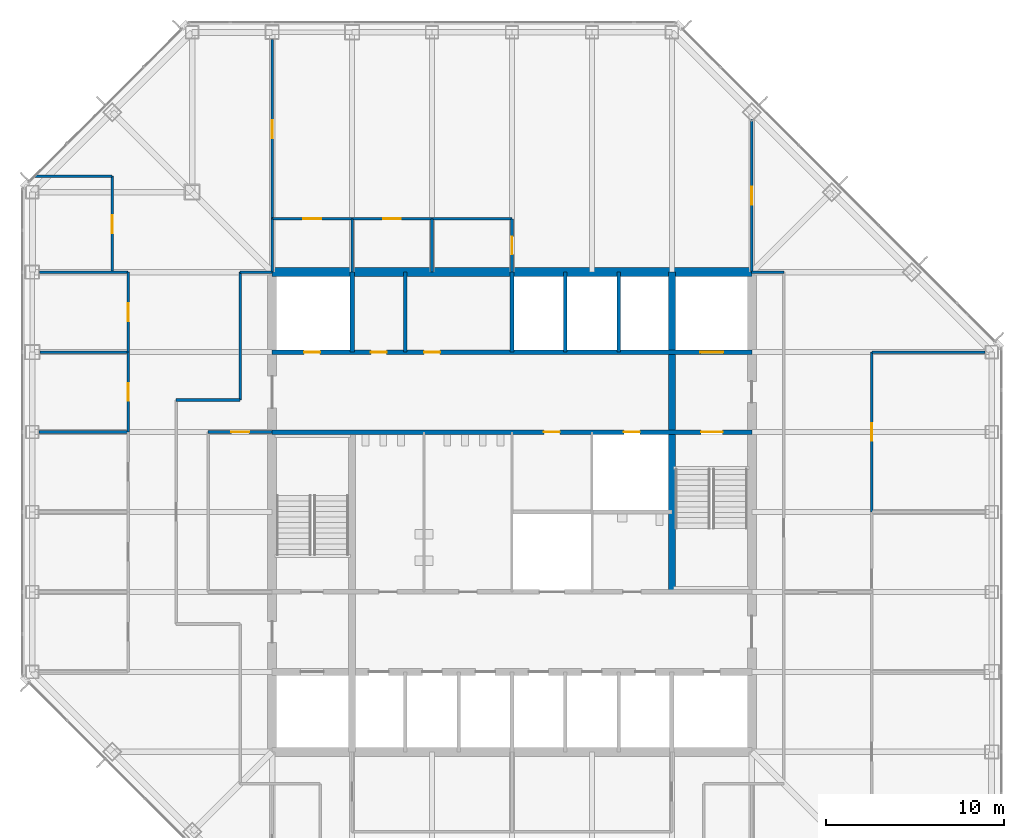
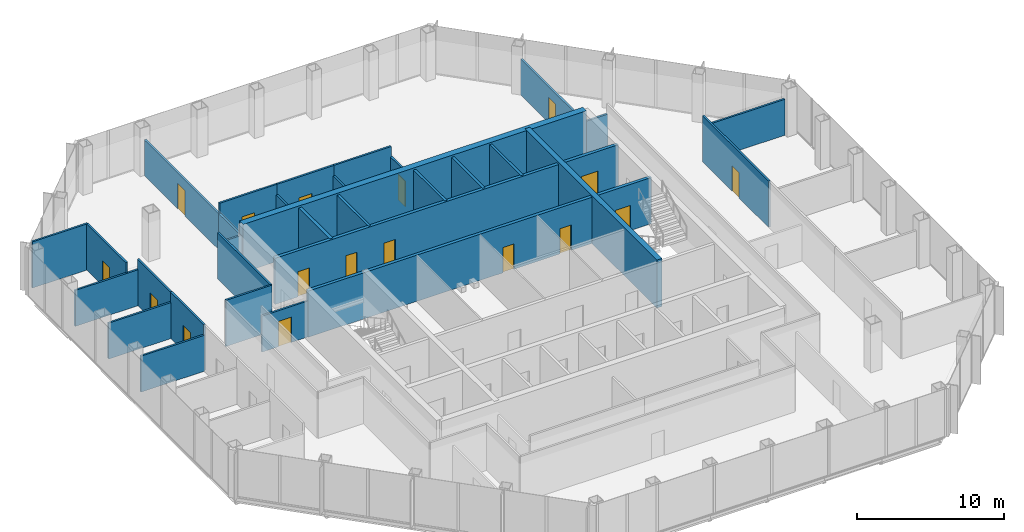
# One storey, part 10 of 13: 32 walls, 17 doors, 17 openings.
"""IFC4 building model written with IfcOpenShell, lengths in metres."""

import ifcopenshell
import ifcopenshell.guid

model = None  # the IFC model being written
_history = None  # IfcOwnerHistory: only IFC2X3 demands one
_inside = {}  # id of a spatial element -> (the spatial element, [elements in it])
_under = {}  # id of a project, library or spatial element -> (it, [spatial elements below it])
_declared = {}  # id of a project -> (the project, [libraries it declares])
_typed = {}  # id of a type object -> (the type object, [elements of that type])
_made_of = {}  # id of a material, layer set ... -> (it, [elements and type objects made of it])


def new_model(schema):
    """Start an empty IFC model of exactly this schema.

    Asked for "IFC4X3", IfcOpenShell would pick the latest addendum, in which some entities
    have other attributes; the version numbers below select the first issue.
    IFC2X3 requires an IfcOwnerHistory on every rooted entity: one is made here for all.
    """
    global model, _history
    if schema == "IFC4X3":
        model = ifcopenshell.file(schema_version=(4, 3, 0, 0))
    else:
        model = ifcopenshell.file(schema=schema)
    _inside.clear()
    _under.clear()
    _declared.clear()
    _typed.clear()
    _made_of.clear()
    _history = None
    if model.schema == "IFC2X3":
        org = make("IfcOrganization", Name="unknown")
        user = make(
            "IfcPersonAndOrganization",
            ThePerson=make("IfcPerson", FamilyName="unknown"),
            TheOrganization=org,
        )
        app = make(
            "IfcApplication",
            ApplicationDeveloper=org,
            Version="unknown",
            ApplicationFullName="unknown",
            ApplicationIdentifier="unknown",
        )
        _history = make(
            "IfcOwnerHistory",
            OwningUser=user,
            OwningApplication=app,
            ChangeAction="ADDED",
            CreationDate=0,
        )
    return model


def make(cls, **values):
    """One entity of the class cls with the attributes given. An attribute that is None is left unset."""
    return model.create_entity(
        cls, **{name: value for name, value in values.items() if value is not None}
    )


def rooted(cls, **values):
    """An entity with a GlobalId (a new one), such as an element, a storey or a relation."""
    return make(cls, GlobalId=ifcopenshell.guid.new(), OwnerHistory=_history, **values)


def si_unit(unit_type, name, prefix=None):
    """IfcSIUnit, for example si_unit("LENGTHUNIT", "METRE", prefix="MILLI")."""
    return make("IfcSIUnit", UnitType=unit_type, Prefix=prefix, Name=name)


def assignment(units):
    """IfcUnitAssignment: the units of a project."""
    return None if units is None else make("IfcUnitAssignment", Units=units)


def point(xyz):
    """IfcCartesianPoint."""
    return None if xyz is None else make("IfcCartesianPoint", Coordinates=xyz)


def direction(xyz):
    """IfcDirection."""
    return None if xyz is None else make("IfcDirection", DirectionRatios=xyz)


def frame(location, z_axis=None, x_axis=None):
    """IfcAxis2Placement3D, a coordinate frame: its origin and axes. An axis left out is left unset."""
    return make(
        "IfcAxis2Placement3D",
        Location=point(location),
        Axis=direction(z_axis),
        RefDirection=direction(x_axis),
    )


def frame_2d(location, x_axis=None):
    """IfcAxis2Placement2D, a coordinate frame in the plane: its origin and x axis."""
    return make(
        "IfcAxis2Placement2D", Location=point(location), RefDirection=direction(x_axis)
    )


def origin():
    """The frame at (0, 0, 0) with its axes left unset."""
    return frame((0.0, 0.0, 0.0))


def place(relative_to, where):
    """IfcLocalPlacement: puts the frame where relative to a parent placement (None: the world)."""
    return make(
        "IfcLocalPlacement", PlacementRelTo=relative_to, RelativePlacement=where
    )


def context(
    kind, dimensions, precision=None, world=None, true_north=None, identifier=None
):
    """IfcGeometricRepresentationContext, for example the 3D "Model" context."""
    return make(
        "IfcGeometricRepresentationContext",
        ContextIdentifier=identifier,
        ContextType=kind,
        CoordinateSpaceDimension=dimensions,
        Precision=precision,
        WorldCoordinateSystem=world,
        TrueNorth=true_north,
    )


def subcontext(parent, identifier, kind, view, scale=None):
    """IfcGeometricRepresentationSubContext, for example "Body" below "Model"."""
    return make(
        "IfcGeometricRepresentationSubContext",
        ContextIdentifier=identifier,
        ContextType=kind,
        ParentContext=parent,
        TargetScale=scale,
        TargetView=view,
    )


def project(units=None, contexts=None):
    """IfcProject with its units and contexts."""
    return rooted(
        "IfcProject",
        Name="project",
        RepresentationContexts=contexts,
        UnitsInContext=assignment(units),
    )


def spatial(cls, under=None, at=None, **own):
    """A site, building, storey or space (cls), placed at a placement, below another one or the project."""
    s = rooted(cls, ObjectPlacement=at, **own)
    if under is not None:
        _under.setdefault(under.id(), (under, []))[1].append(s)
    return s


def profile(cls, at=None, kind="AREA", **sizes):
    """A parametric profile (cls). Its sizes go by their IFC names, for example OverallWidth=200.0."""
    return make(cls, ProfileType=kind, Position=at, **sizes)


def rectangle(**sizes):
    """IfcRectangleProfileDef."""
    return profile("IfcRectangleProfileDef", **sizes)


def extrude(swept, where, along, depth):
    """IfcExtrudedAreaSolid: the profile swept, set in the frame where, extruded along a direction by depth."""
    return make(
        "IfcExtrudedAreaSolid",
        SweptArea=swept,
        Position=where,
        ExtrudedDirection=direction(along),
        Depth=depth,
    )


def shape(context_of_items, identifier, shape_type, items):
    """IfcShapeRepresentation: the items that make up one representation, for example the "Body"."""
    return make(
        "IfcShapeRepresentation",
        ContextOfItems=context_of_items,
        RepresentationIdentifier=identifier,
        RepresentationType=shape_type,
        Items=items,
    )


def material(Name=None, Category=None):
    """IfcMaterial."""
    return make("IfcMaterial", Name=Name, Category=Category)


def layer(
    of_material, thickness, ventilated=None, Name=None, Category=None, Priority=None
):
    """IfcMaterialLayer: one layer of a wall or slab, of a material (None: an air gap)."""
    return make(
        "IfcMaterialLayer",
        Material=of_material,
        LayerThickness=thickness,
        IsVentilated=ventilated,
        Name=Name,
        Category=Category,
        Priority=Priority,
    )


def layer_set(layers, Name=None):
    """IfcMaterialLayerSet."""
    return make("IfcMaterialLayerSet", MaterialLayers=layers, LayerSetName=Name)


def made_of(thing, what):
    """Note that an element or type object is made of a material, layer set ...; save() writes the relation."""
    if what is not None:
        _made_of.setdefault(what.id(), (what, []))[1].append(thing)
    return thing


def type_object(cls, material=None, **own):
    """A type object (cls), such as IfcWallType, which elements share."""
    return made_of(rooted(cls, **own), material)


def element(
    cls,
    number,
    at=None,
    inside=None,
    cuts=None,
    type_object=None,
    material=None,
    context=None,
    identifier="Body",
    shape_type=None,
    held_by="IfcProductDefinitionShape",
    body=None,
    shapes=None,
    **own,
):
    """One element of the class cls, such as IfcWall. Its Tag is "e" and its number.

    at: its placement. inside: the storey or other place that contains it. cuts: it is an
    opening in that element (IfcRelVoidsElement). A single representation is given by context,
    identifier, shape_type and body (its items); several are given by shapes. held_by: the class
    of the entity that holds the representations. save() writes the other relations.
    """
    e = rooted(cls, Tag="e%d" % number, ObjectPlacement=at, **own)
    if body is not None:
        shapes = [shape(context, identifier, shape_type, body)]
    if shapes is not None:
        e.Representation = make(held_by, Representations=shapes)
    if inside is not None:
        _inside.setdefault(inside.id(), (inside, []))[1].append(e)
    if cuts is not None:
        rooted(
            "IfcRelVoidsElement", RelatingBuildingElement=cuts, RelatedOpeningElement=e
        )
    if type_object is not None:
        _typed.setdefault(type_object.id(), (type_object, []))[1].append(e)
    return made_of(e, material)


def fill(opening, filler):
    """IfcRelFillsElement: the door or window that sits in an opening."""
    return rooted(
        "IfcRelFillsElement",
        RelatingOpeningElement=opening,
        RelatedBuildingElement=filler,
    )


def aggregate(whole, parts):
    """IfcRelAggregates: a whole, such as a stair, and the parts it consists of."""
    return rooted("IfcRelAggregates", RelatingObject=whole, RelatedObjects=parts)


def save(model, path):
    """Write the relations noted so far, then the file.

    IfcRelAggregates (storeys below a building ...), IfcRelContainedInSpatialStructure (elements
    in a storey), IfcRelDefinesByType, IfcRelAssociatesMaterial and IfcRelDeclares: one each for
    every whole, place, type object, material and project.
    """
    for whole, parts in _under.values():
        aggregate(whole, parts)
    for where, things in _inside.values():
        rooted(
            "IfcRelContainedInSpatialStructure",
            RelatedElements=things,
            RelatingStructure=where,
        )
    for kind, things in _typed.values():
        rooted("IfcRelDefinesByType", RelatedObjects=things, RelatingType=kind)
    for what, things in _made_of.values():
        rooted("IfcRelAssociatesMaterial", RelatedObjects=things, RelatingMaterial=what)
    for by, libraries in _declared.values():
        rooted("IfcRelDeclares", RelatingContext=by, RelatedDefinitions=libraries)
    model.write(path)


model = new_model("IFC4")

# Units and contexts
model_context = context("Model", 3, precision=1e-05, world=origin(), true_north=direction((0.0, 1.0)))
body_context = subcontext(model_context, "Body", "Model", "MODEL_VIEW")
ifc_project = project(units=[si_unit("LENGTHUNIT", "METRE"), si_unit("AREAUNIT", "SQUARE_METRE"), si_unit("VOLUMEUNIT", "CUBIC_METRE"), si_unit("PLANEANGLEUNIT", "RADIAN"), si_unit("MASSUNIT", "GRAM", prefix="KILO")], contexts=[model_context])

# Site, building, storey
site_placement = place(None, origin())
site = spatial("IfcSite", under=ifc_project, at=site_placement, CompositionType="ELEMENT")
building_placement = place(site_placement, origin())
building = spatial("IfcBuilding", under=site, at=building_placement, Name="Corais Broadcast Tower", CompositionType="ELEMENT")
storey_placement = place(building_placement, frame((0.0, 0.0, 151.60009765625)))
storey = spatial("IfcBuildingStorey", under=building, at=storey_placement, Name="L34", CompositionType="ELEMENT", Elevation=151.60009765625)

# Wall
ifc_material_1 = material(Name="Concrete blockwork class A, grouted, two-hour", Category="masonry")
ifc_layer_1 = layer(ifc_material_1, 0.25)
ifc_layer_set_1 = layer_set([ifc_layer_1], Name="Concrete blockwork class A, grouted, two-hour")
wall_type_1 = type_object("IfcWallType", Name="Core lobby wall 250", PredefinedType="SOLIDWALL", material=ifc_layer_set_1)
wall_1_placement = place(storey_placement, frame((18.0, 36.0, 0.0), z_axis=(0.0, 0.0, 1.0), x_axis=(0.0, 1.0, 0.0)))
element("IfcWall", 1, at=wall_1_placement, inside=storey, type_object=wall_type_1, Name="CL2 core shaft wall X18B L34", PredefinedType="SOLIDWALL", context=body_context, shape_type="SweptSolid", body=[
    extrude(rectangle(XDim=4.5, YDim=0.25, at=frame_2d((2.25, 0.0))), origin(), (0.0, 0.0, 1.0), 3.83984375),
])

# Wall, openings, doors
wall_2_placement = place(storey_placement, frame((13.5, 31.5, 0.0), z_axis=(0.0, 0.0, 1.0), x_axis=(1.0, 0.0, 0.0)))
wall_2 = element("IfcWall", 2, at=wall_2_placement, inside=storey, type_object=wall_type_1, Name="CL2 core lobby wall Y315 L34", PredefinedType="SOLIDWALL", context=body_context, shape_type="SweptSolid", body=[
    extrude(rectangle(XDim=27.0, YDim=0.25, at=frame_2d((13.5, 0.0))), origin(), (0.0, 0.0, 1.0), 3.83984375),
])
opening_1_placement = place(wall_2_placement, frame((24.14990234375, 0.0, 0.0)))
opening_1 = element("IfcOpeningElement", 3, at=opening_1_placement, cuts=wall_2, Name="Opening FD1", PredefinedType="OPENING", context=body_context, shape_type="SweptSolid", body=[
    extrude(rectangle(XDim=1.199951171875, YDim=2.10009765625, at=frame_2d((0.60009765625, 1.050048828125))), frame((0.0, 0.135009765625, 0.0), z_axis=(0.0, -1.0, 0.0), x_axis=(1.0, 0.0, 0.0)), (0.0, 0.0, 1.0), 0.27001953125),
])
opening_2_placement = place(wall_2_placement, frame((15.300048828125, 0.0, 0.0)))
opening_2 = element("IfcOpeningElement", 4, at=opening_2_placement, cuts=wall_2, Name="Opening RD1", PredefinedType="OPENING", context=body_context, shape_type="SweptSolid", body=[
    extrude(rectangle(XDim=0.89990234375, YDim=2.10009765625, at=frame_2d((0.449951171875, 1.050048828125))), frame((0.0, 0.135009765625, 0.0), z_axis=(0.0, -1.0, 0.0), x_axis=(1.0, 0.0, 0.0)), (0.0, 0.0, 1.0), 0.27001953125),
])
opening_3_placement = place(wall_2_placement, frame((19.800048828125, 0.0, 0.0)))
opening_3 = element("IfcOpeningElement", 5, at=opening_3_placement, cuts=wall_2, Name="Opening RD1", PredefinedType="OPENING", context=body_context, shape_type="SweptSolid", body=[
    extrude(rectangle(XDim=0.89990234375, YDim=2.10009765625, at=frame_2d((0.449951171875, 1.050048828125))), frame((0.0, 0.135009765625, 0.0), z_axis=(0.0, -1.0, 0.0), x_axis=(1.0, 0.0, 0.0)), (0.0, 0.0, 1.0), 0.27001953125),
])
ifc_material_2 = material(Name="Steel fire door", Category="steel")
door_type_1 = type_object("IfcDoorType", Name="Fire door 1200x2100", OperationType="SINGLE_SWING_LEFT", PredefinedType="DOOR", material=ifc_material_2)
door_1_placement = place(opening_1_placement, origin())
door_1 = element("IfcDoor", 6, at=door_1_placement, inside=storey, type_object=door_type_1, Name="FD1 stair B door L34", OperationType="SINGLE_SWING_RIGHT", OverallHeight=2.10009765625, OverallWidth=1.199951171875, PredefinedType="DOOR", context=body_context, shape_type="SweptSolid", body=[
    extrude(rectangle(XDim=1.199951171875, YDim=2.10009765625, at=frame_2d((0.60009765625, 1.050048828125))), frame((0.0, 0.02490234375, 0.0), z_axis=(0.0, -1.0, 0.0), x_axis=(1.0, 0.0, 0.0)), (0.0, 0.0, 1.0), 0.050048828125),
])
fill(opening_1, door_1)
ifc_material_3 = material(Name="Steel fire door", Category="steel")
door_type_2 = type_object("IfcDoorType", Name="Riser door 900x2100", OperationType="SINGLE_SWING_LEFT", PredefinedType="DOOR", material=ifc_material_3)
door_2_placement = place(opening_2_placement, origin())
door_2 = element("IfcDoor", 7, at=door_2_placement, inside=storey, type_object=door_type_2, Name="RD1 vending room door L34", OperationType="SINGLE_SWING_RIGHT", OverallHeight=2.10009765625, OverallWidth=0.89990234375, PredefinedType="DOOR", context=body_context, shape_type="SweptSolid", body=[
    extrude(rectangle(XDim=0.89990234375, YDim=2.10009765625, at=frame_2d((0.449951171875, 1.050048828125))), frame((0.0, 0.02490234375, 0.0), z_axis=(0.0, -1.0, 0.0), x_axis=(1.0, 0.0, 0.0)), (0.0, 0.0, 1.0), 0.050048828125),
])
fill(opening_2, door_2)
door_3_placement = place(opening_3_placement, origin())
door_3 = element("IfcDoor", 8, at=door_3_placement, inside=storey, type_object=door_type_2, Name="RD1 riser door L34", OperationType="SINGLE_SWING_RIGHT", OverallHeight=2.10009765625, OverallWidth=0.89990234375, PredefinedType="DOOR", context=body_context, shape_type="SweptSolid", body=[
    extrude(rectangle(XDim=0.89990234375, YDim=2.10009765625, at=frame_2d((0.449951171875, 1.050048828125))), frame((0.0, 0.02490234375, 0.0), z_axis=(0.0, -1.0, 0.0), x_axis=(1.0, 0.0, 0.0)), (0.0, 0.0, 1.0), 0.050048828125),
])
fill(opening_3, door_3)

# Walls
ifc_material_4 = material(Name="Concrete C50/60", Category="concrete")
ifc_layer_2 = layer(ifc_material_4, 0.39990234375)
ifc_layer_set_2 = layer_set([ifc_layer_2], Name="Concrete C50/60")
wall_type_2 = type_object("IfcWallType", Name="Core wall 400", PredefinedType="SHEAR", material=ifc_layer_set_2)
wall_3_placement = place(storey_placement, frame((36.0, 22.5, 0.0), z_axis=(0.0, 0.0, 1.0), x_axis=(0.0, 1.0, 0.0)))
element("IfcWall", 9, at=wall_3_placement, inside=storey, type_object=wall_type_2, Name="CR400 core wall X36B L34", PredefinedType="SHEAR", context=body_context, shape_type="SweptSolid", body=[
    extrude(rectangle(XDim=18.0, YDim=0.39990234375, at=frame_2d((9.0, 0.0))), origin(), (0.0, 0.0, 1.0), 4.0),
])
ifc_material_5 = material(Name="Concrete C50/60", Category="concrete")
ifc_layer_3 = layer(ifc_material_5, 0.5)
ifc_layer_set_3 = layer_set([ifc_layer_3], Name="Concrete C50/60")
wall_type_3 = type_object("IfcWallType", Name="Core wall 500", PredefinedType="SHEAR", material=ifc_layer_set_3)
wall_4_placement = place(storey_placement, frame((40.5, 40.5, 0.0), z_axis=(0.0, 0.0, 1.0), x_axis=(-1.0, 0.0, 0.0)))
element("IfcWall", 10, at=wall_4_placement, inside=storey, type_object=wall_type_3, Name="CR500 core wall N L34", PredefinedType="SHEAR", context=body_context, shape_type="SweptSolid", body=[
    extrude(rectangle(XDim=27.0, YDim=0.5, at=frame_2d((13.5, 0.0))), origin(), (0.0, 0.0, 1.0), 4.0),
])

# Wall, openings, doors
ifc_material_6 = material(Name="Concrete blockwork class A, grouted, four-hour", Category="masonry")
ifc_layer_4 = layer(ifc_material_6, 0.25)
ifc_layer_set_4 = layer_set([ifc_layer_4], Name="Concrete blockwork class A, grouted, four-hour")
wall_type_4 = type_object("IfcWallType", Name="Emergency lift shaft wall 250", PredefinedType="SOLIDWALL", material=ifc_layer_set_4)
wall_5_placement = place(storey_placement, frame((13.5, 36.0, 0.0), z_axis=(0.0, 0.0, 1.0), x_axis=(1.0, 0.0, 0.0)))
wall_5 = element("IfcWall", 11, at=wall_5_placement, inside=storey, type_object=wall_type_4, Name="LS2 core lobby wall Y36 L34", PredefinedType="SOLIDWALL", context=body_context, shape_type="SweptSolid", body=[
    extrude(rectangle(XDim=27.0, YDim=0.25, at=frame_2d((13.5, 0.0))), origin(), (0.0, 0.0, 1.0), 3.83984375),
])
opening_4_placement = place(wall_5_placement, frame((1.800048828125, 0.0, 0.0)))
opening_4 = element("IfcOpeningElement", 12, at=opening_4_placement, cuts=wall_5, Name="Opening RD1", PredefinedType="OPENING", context=body_context, shape_type="SweptSolid", body=[
    extrude(rectangle(XDim=0.89990234375, YDim=2.10009765625, at=frame_2d((0.449951171875, 1.050048828125))), frame((0.0, 0.135009765625, 0.0), z_axis=(0.0, -1.0, 0.0), x_axis=(1.0, 0.0, 0.0)), (0.0, 0.0, 1.0), 0.27001953125),
])
opening_5_placement = place(wall_5_placement, frame((5.550048828125, 0.0, 0.0)))
opening_5 = element("IfcOpeningElement", 13, at=opening_5_placement, cuts=wall_5, Name="Opening RD1", PredefinedType="OPENING", context=body_context, shape_type="SweptSolid", body=[
    extrude(rectangle(XDim=0.89990234375, YDim=2.10009765625, at=frame_2d((0.449951171875, 1.050048828125))), frame((0.0, 0.135009765625, 0.0), z_axis=(0.0, -1.0, 0.0), x_axis=(1.0, 0.0, 0.0)), (0.0, 0.0, 1.0), 0.27001953125),
])
opening_6_placement = place(wall_5_placement, frame((8.550048828125, 0.0, 0.0)))
opening_6 = element("IfcOpeningElement", 14, at=opening_6_placement, cuts=wall_5, Name="Opening RD1", PredefinedType="OPENING", context=body_context, shape_type="SweptSolid", body=[
    extrude(rectangle(XDim=0.89990234375, YDim=2.10009765625, at=frame_2d((0.449951171875, 1.050048828125))), frame((0.0, 0.135009765625, 0.0), z_axis=(0.0, -1.0, 0.0), x_axis=(1.0, 0.0, 0.0)), (0.0, 0.0, 1.0), 0.27001953125),
])
opening_7_placement = place(wall_5_placement, frame((24.10009765625, 0.0, 0.0)))
opening_7 = element("IfcOpeningElement", 15, at=opening_7_placement, cuts=wall_5, Name="Opening LD2", PredefinedType="OPENING", context=body_context, shape_type="SweptSolid", body=[
    extrude(rectangle(XDim=1.300048828125, YDim=2.199951171875, at=frame_2d((0.64990234375, 1.10009765625))), frame((0.0, 0.135009765625, 0.0), z_axis=(0.0, -1.0, 0.0), x_axis=(1.0, 0.0, 0.0)), (0.0, 0.0, 1.0), 0.27001953125),
])
ifc_material_7 = material(Name="Stainless steel lift door", Category="steel")
door_type_3 = type_object("IfcDoorType", Name="Lift landing door 1300x2200", OperationType="SLIDING_TO_LEFT", PredefinedType="DOOR", material=ifc_material_7)
door_4_placement = place(opening_7_placement, origin())
door_4 = element("IfcDoor", 16, at=door_4_placement, inside=storey, type_object=door_type_3, Name="LD2 FL2 landing door L34", OperationType="SLIDING_TO_LEFT", OverallHeight=2.199951171875, OverallWidth=1.300048828125, PredefinedType="DOOR", context=body_context, shape_type="SweptSolid", body=[
    extrude(rectangle(XDim=1.300048828125, YDim=2.199951171875, at=frame_2d((0.64990234375, 1.10009765625))), frame((0.0, 0.02490234375, 0.0), z_axis=(0.0, -1.0, 0.0), x_axis=(1.0, 0.0, 0.0)), (0.0, 0.0, 1.0), 0.050048828125),
])
fill(opening_7, door_4)
door_5_placement = place(opening_4_placement, origin())
door_5 = element("IfcDoor", 17, at=door_5_placement, inside=storey, type_object=door_type_2, Name="RD1 riser door L34", OperationType="SINGLE_SWING_LEFT", OverallHeight=2.10009765625, OverallWidth=0.89990234375, PredefinedType="DOOR", context=body_context, shape_type="SweptSolid", body=[
    extrude(rectangle(XDim=0.89990234375, YDim=2.10009765625, at=frame_2d((0.449951171875, 1.050048828125))), frame((0.0, 0.02490234375, 0.0), z_axis=(0.0, -1.0, 0.0), x_axis=(1.0, 0.0, 0.0)), (0.0, 0.0, 1.0), 0.050048828125),
])
fill(opening_4, door_5)
door_6_placement = place(opening_5_placement, origin())
door_6 = element("IfcDoor", 18, at=door_6_placement, inside=storey, type_object=door_type_2, Name="RD1 print room door L34", OperationType="SINGLE_SWING_LEFT", OverallHeight=2.10009765625, OverallWidth=0.89990234375, PredefinedType="DOOR", context=body_context, shape_type="SweptSolid", body=[
    extrude(rectangle(XDim=0.89990234375, YDim=2.10009765625, at=frame_2d((0.449951171875, 1.050048828125))), frame((0.0, 0.02490234375, 0.0), z_axis=(0.0, -1.0, 0.0), x_axis=(1.0, 0.0, 0.0)), (0.0, 0.0, 1.0), 0.050048828125),
])
fill(opening_5, door_6)
door_7_placement = place(opening_6_placement, origin())
door_7 = element("IfcDoor", 19, at=door_7_placement, inside=storey, type_object=door_type_2, Name="RD1 wellness room door L34", OperationType="SINGLE_SWING_LEFT", OverallHeight=2.10009765625, OverallWidth=0.89990234375, PredefinedType="DOOR", context=body_context, shape_type="SweptSolid", body=[
    extrude(rectangle(XDim=0.89990234375, YDim=2.10009765625, at=frame_2d((0.449951171875, 1.050048828125))), frame((0.0, 0.02490234375, 0.0), z_axis=(0.0, -1.0, 0.0), x_axis=(1.0, 0.0, 0.0)), (0.0, 0.0, 1.0), 0.050048828125),
])
fill(opening_6, door_7)

# Walls
ifc_material_8 = material(Name="Gypsum board on steel studs", Category="steel")
ifc_layer_5 = layer(ifc_material_8, 0.14990234375)
ifc_layer_set_5 = layer_set([ifc_layer_5], Name="Gypsum board on steel studs")
wall_type_5 = type_object("IfcWallType", Name="Partition 150", PredefinedType="PARTITIONING", material=ifc_layer_set_5)
wall_6_placement = place(storey_placement, frame((11.699951171875, 40.5, 0.0), z_axis=(0.0, 0.0, 1.0), x_axis=(0.0, -1.0, 0.0)))
element("IfcWall", 20, at=wall_6_placement, inside=storey, type_object=wall_type_5, Name="IW3 corridor wall L34", PredefinedType="PARTITIONING", context=body_context, shape_type="SweptSolid", body=[
    extrude(rectangle(XDim=7.199951171875, YDim=0.14990234375, at=frame_2d((3.60009765625, 0.0))), origin(), (0.0, 0.0, 1.0), 3.83984375),
])
wall_7_placement = place(storey_placement, frame((11.699951171875, 33.300048828125, 0.0), z_axis=(0.0, 0.0, 1.0), x_axis=(-1.0, 0.0, 0.0)))
element("IfcWall", 21, at=wall_7_placement, inside=storey, type_object=wall_type_5, Name="IW3 corridor wall L34", PredefinedType="PARTITIONING", context=body_context, shape_type="SweptSolid", body=[
    extrude(rectangle(XDim=3.599853515625, YDim=0.14990234375, at=frame_2d((1.7998046875, 0.0))), origin(), (0.0, 0.0, 1.0), 3.83984375),
])
wall_8_placement = place(storey_placement, frame((42.300048828125, 40.5, 0.0), z_axis=(0.0, 0.0, 1.0), x_axis=(-1.0, 0.0, 0.0)))
element("IfcWall", 22, at=wall_8_placement, inside=storey, type_object=wall_type_5, Name="IW3 corridor wall L34", PredefinedType="PARTITIONING", context=body_context, shape_type="SweptSolid", body=[
    extrude(rectangle(XDim=1.81005859375, YDim=0.14990234375, at=frame_2d((0.905029296875, 0.0))), origin(), (0.0, 0.0, 1.0), 2.989013671875),
])
wall_9_placement = place(storey_placement, frame((13.5, 40.5, 0.0), z_axis=(0.0, 0.0, 1.0), x_axis=(-1.0, 0.0, 0.0)))
element("IfcWall", 23, at=wall_9_placement, inside=storey, type_object=wall_type_5, Name="IW3 corridor wall L34", PredefinedType="PARTITIONING", context=body_context, shape_type="SweptSolid", body=[
    extrude(rectangle(XDim=1.800048828125, YDim=0.14990234375, at=frame_2d((0.89990234375, 0.0))), origin(), (0.0, 0.0, 1.0), 2.989013671875),
])
wall_10_placement = place(storey_placement, frame((53.614990234375, 36.0, 0.0), z_axis=(0.0, 0.0, 1.0), x_axis=(-1.0, 0.0, 0.0)))
element("IfcWall", 24, at=wall_10_placement, inside=storey, type_object=wall_type_5, Name="IW3 partition L34", PredefinedType="PARTITIONING", context=body_context, shape_type="SweptSolid", body=[
    extrude(rectangle(XDim=6.364990234375, YDim=0.14990234375, at=frame_2d((3.1826171875, 0.0))), origin(), (0.0, 0.0, 1.0), 2.989013671875),
])

# Wall, opening, door
wall_11_placement = place(storey_placement, frame((47.25, 36.0, 0.0), z_axis=(0.0, 0.0, 1.0), x_axis=(0.0, -1.0, 0.0)))
wall_11 = element("IfcWall", 25, at=wall_11_placement, inside=storey, type_object=wall_type_5, Name="IW3 partition L34", PredefinedType="PARTITIONING", context=body_context, shape_type="SweptSolid", body=[
    extrude(rectangle(XDim=9.0, YDim=0.14990234375, at=frame_2d((4.5, 0.0))), origin(), (0.0, 0.0, 1.0), 3.83984375),
])
opening_8_placement = place(wall_11_placement, frame((4.0, 0.0, 0.0)))
opening_8 = element("IfcOpeningElement", 26, at=opening_8_placement, cuts=wall_11, Name="Opening D1", PredefinedType="OPENING", context=body_context, shape_type="SweptSolid", body=[
    extrude(rectangle(XDim=1.0, YDim=2.10009765625, at=frame_2d((0.5, 1.050048828125))), frame((0.0, 0.0849609375, 0.0), z_axis=(0.0, -1.0, 0.0), x_axis=(1.0, 0.0, 0.0)), (0.0, 0.0, 1.0), 0.169921875),
])
ifc_material_9 = material(Name="Timber door", Category="wood")
door_type_4 = type_object("IfcDoorType", Name="Single door 1000x2100", OperationType="SINGLE_SWING_LEFT", PredefinedType="DOOR", material=ifc_material_9)
door_8_placement = place(opening_8_placement, origin())
door_8 = element("IfcDoor", 27, at=door_8_placement, inside=storey, type_object=door_type_4, Name="D1 Creative office door", OperationType="SINGLE_SWING_LEFT", OverallHeight=2.10009765625, OverallWidth=1.0, PredefinedType="DOOR", context=body_context, shape_type="SweptSolid", body=[
    extrude(rectangle(XDim=1.0, YDim=2.10009765625, at=frame_2d((0.5, 1.050048828125))), frame((0.0, 0.02490234375, 0.0), z_axis=(0.0, -1.0, 0.0), x_axis=(1.0, 0.0, 0.0)), (0.0, 0.0, 1.0), 0.050048828125),
])
fill(opening_8, door_8)

wall_12_placement = place(storey_placement, frame((13.5, 31.5, 0.0), z_axis=(0.0, 0.0, 1.0), x_axis=(-1.0, 0.0, 0.0)))
wall_12 = element("IfcWall", 28, at=wall_12_placement, inside=storey, type_object=wall_type_5, Name="IW3 partition L34", PredefinedType="PARTITIONING", context=body_context, shape_type="SweptSolid", body=[
    extrude(rectangle(XDim=3.60009765625, YDim=0.14990234375, at=frame_2d((1.800048828125, 0.0))), origin(), (0.0, 0.0, 1.0), 2.989013671875),
])
opening_9_placement = place(wall_12_placement, frame((1.300048828125, 0.0, 0.0)))
opening_9 = element("IfcOpeningElement", 29, at=opening_9_placement, cuts=wall_12, Name="Opening D1", PredefinedType="OPENING", context=body_context, shape_type="SweptSolid", body=[
    extrude(rectangle(XDim=1.0, YDim=2.10009765625, at=frame_2d((0.5, 1.050048828125))), frame((0.0, 0.0849609375, 0.0), z_axis=(0.0, -1.0, 0.0), x_axis=(1.0, 0.0, 0.0)), (0.0, 0.0, 1.0), 0.169921875),
])
door_9_placement = place(opening_9_placement, origin())
door_9 = element("IfcDoor", 30, at=door_9_placement, inside=storey, type_object=door_type_4, Name="D1 Pantry door", OperationType="SINGLE_SWING_LEFT", OverallHeight=2.10009765625, OverallWidth=1.0, PredefinedType="DOOR", context=body_context, shape_type="SweptSolid", body=[
    extrude(rectangle(XDim=1.0, YDim=2.10009765625, at=frame_2d((0.5, 1.050048828125))), frame((0.0, 0.02490234375, 0.0), z_axis=(0.0, -1.0, 0.0), x_axis=(1.0, 0.0, 0.0)), (0.0, 0.0, 1.0), 0.050048828125),
])
fill(opening_9, door_9)

# Wall
wall_13_placement = place(storey_placement, frame((5.39990234375, 31.5, 0.0), z_axis=(0.0, 0.0, 1.0), x_axis=(-1.0, 0.0, 0.0)))
element("IfcWall", 31, at=wall_13_placement, inside=storey, type_object=wall_type_5, Name="IW3 partition L34", PredefinedType="PARTITIONING", context=body_context, shape_type="SweptSolid", body=[
    extrude(rectangle(XDim=5.014892578125, YDim=0.14990234375, at=frame_2d((2.50732421875, 0.0))), origin(), (0.0, 0.0, 1.0), 2.989013671875),
])

# Wall, opening, door
wall_14_placement = place(storey_placement, frame((5.39990234375, 31.5, 0.0), z_axis=(0.0, 0.0, 1.0), x_axis=(0.0, 1.0, 0.0)))
wall_14 = element("IfcWall", 32, at=wall_14_placement, inside=storey, type_object=wall_type_5, Name="IW3 partition L34", PredefinedType="PARTITIONING", context=body_context, shape_type="SweptSolid", body=[
    extrude(rectangle(XDim=4.5, YDim=0.14990234375, at=frame_2d((2.25, 0.0))), origin(), (0.0, 0.0, 1.0), 3.83984375),
])
opening_10_placement = place(wall_14_placement, frame((1.75, 0.0, 0.0)))
opening_10 = element("IfcOpeningElement", 33, at=opening_10_placement, cuts=wall_14, Name="Opening D1", PredefinedType="OPENING", context=body_context, shape_type="SweptSolid", body=[
    extrude(rectangle(XDim=1.0, YDim=2.10009765625, at=frame_2d((0.5, 1.050048828125))), frame((0.0, 0.0849609375, 0.0), z_axis=(0.0, -1.0, 0.0), x_axis=(1.0, 0.0, 0.0)), (0.0, 0.0, 1.0), 0.169921875),
])
door_10_placement = place(opening_10_placement, origin())
door_10 = element("IfcDoor", 34, at=door_10_placement, inside=storey, type_object=door_type_4, Name="D1 Edit room door", OperationType="SINGLE_SWING_LEFT", OverallHeight=2.10009765625, OverallWidth=1.0, PredefinedType="DOOR", context=body_context, shape_type="SweptSolid", body=[
    extrude(rectangle(XDim=1.0, YDim=2.10009765625, at=frame_2d((0.5, 1.050048828125))), frame((0.0, 0.02490234375, 0.0), z_axis=(0.0, -1.0, 0.0), x_axis=(1.0, 0.0, 0.0)), (0.0, 0.0, 1.0), 0.050048828125),
])
fill(opening_10, door_10)

# Wall
wall_15_placement = place(storey_placement, frame((5.39990234375, 36.0, 0.0), z_axis=(0.0, 0.0, 1.0), x_axis=(-1.0, 0.0, 0.0)))
element("IfcWall", 35, at=wall_15_placement, inside=storey, type_object=wall_type_5, Name="IW3 partition L34", PredefinedType="PARTITIONING", context=body_context, shape_type="SweptSolid", body=[
    extrude(rectangle(XDim=4.96484375, YDim=0.14990234375, at=frame_2d((2.482421875, 0.0))), origin(), (0.0, 0.0, 1.0), 2.989013671875),
])

# Wall, opening, door
wall_16_placement = place(storey_placement, frame((5.39990234375, 36.0, 0.0), z_axis=(0.0, 0.0, 1.0), x_axis=(0.0, 1.0, 0.0)))
wall_16 = element("IfcWall", 36, at=wall_16_placement, inside=storey, type_object=wall_type_5, Name="IW3 partition L34", PredefinedType="PARTITIONING", context=body_context, shape_type="SweptSolid", body=[
    extrude(rectangle(XDim=4.5, YDim=0.14990234375, at=frame_2d((2.25, 0.0))), origin(), (0.0, 0.0, 1.0), 3.83984375),
])
opening_11_placement = place(wall_16_placement, frame((1.75, 0.0, 0.0)))
opening_11 = element("IfcOpeningElement", 37, at=opening_11_placement, cuts=wall_16, Name="Opening D1", PredefinedType="OPENING", context=body_context, shape_type="SweptSolid", body=[
    extrude(rectangle(XDim=1.0, YDim=2.10009765625, at=frame_2d((0.5, 1.050048828125))), frame((0.0, 0.0849609375, 0.0), z_axis=(0.0, -1.0, 0.0), x_axis=(1.0, 0.0, 0.0)), (0.0, 0.0, 1.0), 0.169921875),
])
door_11_placement = place(opening_11_placement, origin())
door_11 = element("IfcDoor", 38, at=door_11_placement, inside=storey, type_object=door_type_4, Name="D1 Edit room door", OperationType="SINGLE_SWING_LEFT", OverallHeight=2.10009765625, OverallWidth=1.0, PredefinedType="DOOR", context=body_context, shape_type="SweptSolid", body=[
    extrude(rectangle(XDim=1.0, YDim=2.10009765625, at=frame_2d((0.5, 1.050048828125))), frame((0.0, 0.02490234375, 0.0), z_axis=(0.0, -1.0, 0.0), x_axis=(1.0, 0.0, 0.0)), (0.0, 0.0, 1.0), 0.050048828125),
])
fill(opening_11, door_11)

# Wall
wall_17_placement = place(storey_placement, frame((5.39990234375, 40.5, 0.0), z_axis=(0.0, 0.0, 1.0), x_axis=(-1.0, 0.0, 0.0)))
element("IfcWall", 39, at=wall_17_placement, inside=storey, type_object=wall_type_5, Name="IW3 partition L34", PredefinedType="PARTITIONING", context=body_context, shape_type="SweptSolid", body=[
    extrude(rectangle(XDim=4.989990234375, YDim=0.14990234375, at=frame_2d((2.4951171875, 0.0))), origin(), (0.0, 0.0, 1.0), 2.989013671875),
])

# Wall, opening, door
wall_18_placement = place(storey_placement, frame((4.5, 40.5, 0.0), z_axis=(0.0, 0.0, 1.0), x_axis=(0.0, 1.0, 0.0)))
wall_18 = element("IfcWall", 40, at=wall_18_placement, inside=storey, type_object=wall_type_5, Name="IW3 partition L34", PredefinedType="PARTITIONING", context=body_context, shape_type="SweptSolid", body=[
    extrude(rectangle(XDim=5.39990234375, YDim=0.14990234375, at=frame_2d((2.699951171875, 0.0))), origin(), (0.0, 0.0, 1.0), 3.83984375),
])
opening_12_placement = place(wall_18_placement, frame((2.199951171875, 0.0, 0.0)))
opening_12 = element("IfcOpeningElement", 41, at=opening_12_placement, cuts=wall_18, Name="Opening D1", PredefinedType="OPENING", context=body_context, shape_type="SweptSolid", body=[
    extrude(rectangle(XDim=1.0, YDim=2.10009765625, at=frame_2d((0.5, 1.050048828125))), frame((0.0, 0.0849609375, 0.0), z_axis=(0.0, -1.0, 0.0), x_axis=(1.0, 0.0, 0.0)), (0.0, 0.0, 1.0), 0.169921875),
])
door_12_placement = place(opening_12_placement, origin())
door_12 = element("IfcDoor", 42, at=door_12_placement, inside=storey, type_object=door_type_4, Name="D1 Edit room door", OperationType="SINGLE_SWING_LEFT", OverallHeight=2.10009765625, OverallWidth=1.0, PredefinedType="DOOR", context=body_context, shape_type="SweptSolid", body=[
    extrude(rectangle(XDim=1.0, YDim=2.10009765625, at=frame_2d((0.5, 1.050048828125))), frame((0.0, 0.02490234375, 0.0), z_axis=(0.0, -1.0, 0.0), x_axis=(1.0, 0.0, 0.0)), (0.0, 0.0, 1.0), 0.050048828125),
])
fill(opening_12, door_12)

# Walls
wall_19_placement = place(storey_placement, frame((4.5, 45.89990234375, 0.0), z_axis=(0.0, 0.0, 1.0), x_axis=(-1.0, 0.0, 0.0)))
element("IfcWall", 43, at=wall_19_placement, inside=storey, type_object=wall_type_5, Name="IW3 partition L34", PredefinedType="PARTITIONING", context=body_context, shape_type="SweptSolid", body=[
    extrude(rectangle(XDim=4.33544921875, YDim=0.14990234375, at=frame_2d((2.167724609375, 0.0))), origin(), (0.0, 0.0, 1.0), 3.83984375),
])
wall_20_placement = place(storey_placement, frame((18.0, 40.5, 0.0), z_axis=(0.0, 0.0, 1.0), x_axis=(0.0, 1.0, 0.0)))
element("IfcWall", 44, at=wall_20_placement, inside=storey, type_object=wall_type_5, Name="IW3 partition L34", PredefinedType="PARTITIONING", context=body_context, shape_type="SweptSolid", body=[
    extrude(rectangle(XDim=3.0, YDim=0.14990234375, at=frame_2d((1.5, 0.0))), origin(), (0.0, 0.0, 1.0), 2.989013671875),
])

# Wall, opening, door
wall_21_placement = place(storey_placement, frame((18.0, 43.5, 0.0), z_axis=(0.0, 0.0, 1.0), x_axis=(-1.0, 0.0, 0.0)))
wall_21 = element("IfcWall", 45, at=wall_21_placement, inside=storey, type_object=wall_type_5, Name="IW3 partition L34", PredefinedType="PARTITIONING", context=body_context, shape_type="SweptSolid", body=[
    extrude(rectangle(XDim=4.5, YDim=0.14990234375, at=frame_2d((2.25, 0.0))), origin(), (0.0, 0.0, 1.0), 3.83984375),
])
opening_13_placement = place(wall_21_placement, frame((1.75, 0.0, 0.0)))
opening_13 = element("IfcOpeningElement", 46, at=opening_13_placement, cuts=wall_21, Name="Opening D1", PredefinedType="OPENING", context=body_context, shape_type="SweptSolid", body=[
    extrude(rectangle(XDim=1.0, YDim=2.10009765625, at=frame_2d((0.5, 1.050048828125))), frame((0.0, 0.0849609375, 0.0), z_axis=(0.0, -1.0, 0.0), x_axis=(1.0, 0.0, 0.0)), (0.0, 0.0, 1.0), 0.169921875),
])
door_13_placement = place(opening_13_placement, origin())
door_13 = element("IfcDoor", 47, at=door_13_placement, inside=storey, type_object=door_type_4, Name="D1 Quiet room door", OperationType="SINGLE_SWING_LEFT", OverallHeight=2.10009765625, OverallWidth=1.0, PredefinedType="DOOR", context=body_context, shape_type="SweptSolid", body=[
    extrude(rectangle(XDim=1.0, YDim=2.10009765625, at=frame_2d((0.5, 1.050048828125))), frame((0.0, 0.02490234375, 0.0), z_axis=(0.0, -1.0, 0.0), x_axis=(1.0, 0.0, 0.0)), (0.0, 0.0, 1.0), 0.050048828125),
])
fill(opening_13, door_13)

# Walls
for number, where, z_axis, x_axis, name in (
    (48, (13.5, 43.5, 0.0), (0.0, 0.0, 1.0), (0.0, -1.0, 0.0), "IW3 partition L34"),
    (49, (22.5, 40.5, 0.0), (0.0, 0.0, 1.0), (0.0, 1.0, 0.0), "IW3 partition L34"),
):
    element("IfcWall", number, at=place(storey_placement, frame(where, z_axis=z_axis, x_axis=x_axis)), inside=storey, type_object=wall_type_5, Name=name, PredefinedType="PARTITIONING", context=body_context, shape_type="SweptSolid", body=[
        extrude(rectangle(XDim=3.0, YDim=0.14990234375, at=frame_2d((1.5, 0.0))), origin(), (0.0, 0.0, 1.0), 2.989013671875),
    ])

# Wall, opening, door
wall_22_placement = place(storey_placement, frame((22.5, 43.5, 0.0), z_axis=(0.0, 0.0, 1.0), x_axis=(-1.0, 0.0, 0.0)))
wall_22 = element("IfcWall", 50, at=wall_22_placement, inside=storey, type_object=wall_type_5, Name="IW3 partition L34", PredefinedType="PARTITIONING", context=body_context, shape_type="SweptSolid", body=[
    extrude(rectangle(XDim=4.5, YDim=0.14990234375, at=frame_2d((2.25, 0.0))), origin(), (0.0, 0.0, 1.0), 3.83984375),
])
opening_14_placement = place(wall_22_placement, frame((1.75, 0.0, 0.0)))
opening_14 = element("IfcOpeningElement", 51, at=opening_14_placement, cuts=wall_22, Name="Opening D1", PredefinedType="OPENING", context=body_context, shape_type="SweptSolid", body=[
    extrude(rectangle(XDim=1.0, YDim=2.10009765625, at=frame_2d((0.5, 1.050048828125))), frame((0.0, 0.0849609375, 0.0), z_axis=(0.0, -1.0, 0.0), x_axis=(1.0, 0.0, 0.0)), (0.0, 0.0, 1.0), 0.169921875),
])
door_14_placement = place(opening_14_placement, origin())
door_14 = element("IfcDoor", 52, at=door_14_placement, inside=storey, type_object=door_type_4, Name="D1 Quiet room door", OperationType="SINGLE_SWING_LEFT", OverallHeight=2.10009765625, OverallWidth=1.0, PredefinedType="DOOR", context=body_context, shape_type="SweptSolid", body=[
    extrude(rectangle(XDim=1.0, YDim=2.10009765625, at=frame_2d((0.5, 1.050048828125))), frame((0.0, 0.02490234375, 0.0), z_axis=(0.0, -1.0, 0.0), x_axis=(1.0, 0.0, 0.0)), (0.0, 0.0, 1.0), 0.050048828125),
])
fill(opening_14, door_14)

wall_23_placement = place(storey_placement, frame((27.0, 40.5, 0.0), z_axis=(0.0, 0.0, 1.0), x_axis=(0.0, 1.0, 0.0)))
wall_23 = element("IfcWall", 53, at=wall_23_placement, inside=storey, type_object=wall_type_5, Name="IW3 partition L34", PredefinedType="PARTITIONING", context=body_context, shape_type="SweptSolid", body=[
    extrude(rectangle(XDim=3.0, YDim=0.14990234375, at=frame_2d((1.5, 0.0))), origin(), (0.0, 0.0, 1.0), 2.989013671875),
])
opening_15_placement = place(wall_23_placement, frame((1.0, 0.0, 0.0)))
opening_15 = element("IfcOpeningElement", 54, at=opening_15_placement, cuts=wall_23, Name="Opening D1", PredefinedType="OPENING", context=body_context, shape_type="SweptSolid", body=[
    extrude(rectangle(XDim=1.0, YDim=2.10009765625, at=frame_2d((0.5, 1.050048828125))), frame((0.0, 0.0849609375, 0.0), z_axis=(0.0, -1.0, 0.0), x_axis=(1.0, 0.0, 0.0)), (0.0, 0.0, 1.0), 0.169921875),
])
door_15_placement = place(opening_15_placement, origin())
door_15 = element("IfcDoor", 55, at=door_15_placement, inside=storey, type_object=door_type_4, Name="D1 Quiet room door", OperationType="SINGLE_SWING_LEFT", OverallHeight=2.10009765625, OverallWidth=1.0, PredefinedType="DOOR", context=body_context, shape_type="SweptSolid", body=[
    extrude(rectangle(XDim=1.0, YDim=2.10009765625, at=frame_2d((0.5, 1.050048828125))), frame((0.0, 0.02490234375, 0.0), z_axis=(0.0, -1.0, 0.0), x_axis=(1.0, 0.0, 0.0)), (0.0, 0.0, 1.0), 0.050048828125),
])
fill(opening_15, door_15)

# Wall
wall_24_placement = place(storey_placement, frame((27.0, 43.5, 0.0), z_axis=(0.0, 0.0, 1.0), x_axis=(-1.0, 0.0, 0.0)))
element("IfcWall", 56, at=wall_24_placement, inside=storey, type_object=wall_type_5, Name="IW3 partition L34", PredefinedType="PARTITIONING", context=body_context, shape_type="SweptSolid", body=[
    extrude(rectangle(XDim=4.5, YDim=0.14990234375, at=frame_2d((2.25, 0.0))), origin(), (0.0, 0.0, 1.0), 3.83984375),
])

# Wall, opening, door
wall_25_placement = place(storey_placement, frame((13.5, 43.5, 0.0), z_axis=(0.0, 0.0, 1.0), x_axis=(0.0, 1.0, 0.0)))
wall_25 = element("IfcWall", 57, at=wall_25_placement, inside=storey, type_object=wall_type_5, Name="IW3 partition L34", PredefinedType="PARTITIONING", context=body_context, shape_type="SweptSolid", body=[
    extrude(rectangle(XDim=10.080078125, YDim=0.14990234375, at=frame_2d((5.0400390625, 0.0))), origin(), (0.0, 0.0, 1.0), 2.989013671875),
])
opening_16_placement = place(wall_25_placement, frame((4.5400390625, 0.0, 0.0)))
opening_16 = element("IfcOpeningElement", 58, at=opening_16_placement, cuts=wall_25, Name="Opening D1", PredefinedType="OPENING", context=body_context, shape_type="SweptSolid", body=[
    extrude(rectangle(XDim=1.0, YDim=2.10009765625, at=frame_2d((0.5, 1.050048828125))), frame((0.0, 0.0849609375, 0.0), z_axis=(0.0, -1.0, 0.0), x_axis=(1.0, 0.0, 0.0)), (0.0, 0.0, 1.0), 0.169921875),
])
door_16_placement = place(opening_16_placement, origin())
door_16 = element("IfcDoor", 59, at=door_16_placement, inside=storey, type_object=door_type_4, Name="D1 team room door L34", OperationType="SINGLE_SWING_LEFT", OverallHeight=2.10009765625, OverallWidth=1.0, PredefinedType="DOOR", context=body_context, shape_type="SweptSolid", body=[
    extrude(rectangle(XDim=1.0, YDim=2.10009765625, at=frame_2d((0.5, 1.050048828125))), frame((0.0, 0.02490234375, 0.0), z_axis=(0.0, -1.0, 0.0), x_axis=(1.0, 0.0, 0.0)), (0.0, 0.0, 1.0), 0.050048828125),
])
fill(opening_16, door_16)

wall_26_placement = place(storey_placement, frame((40.5, 49.10498046875, 0.0), z_axis=(0.0, 0.0, 1.0), x_axis=(0.0, -1.0, 0.0)))
wall_26 = element("IfcWall", 60, at=wall_26_placement, inside=storey, type_object=wall_type_5, Name="IW3 partition L34", PredefinedType="PARTITIONING", context=body_context, shape_type="SweptSolid", body=[
    extrude(rectangle(XDim=8.60498046875, YDim=0.14990234375, at=frame_2d((4.302490234375, 0.0))), origin(), (0.0, 0.0, 1.0), 2.989013671875),
])
opening_17_placement = place(wall_26_placement, frame((3.802490234375, 0.0, 0.0)))
opening_17 = element("IfcOpeningElement", 61, at=opening_17_placement, cuts=wall_26, Name="Opening D1", PredefinedType="OPENING", context=body_context, shape_type="SweptSolid", body=[
    extrude(rectangle(XDim=1.0, YDim=2.10009765625, at=frame_2d((0.5, 1.050048828125))), frame((0.0, 0.0849609375, 0.0), z_axis=(0.0, -1.0, 0.0), x_axis=(1.0, 0.0, 0.0)), (0.0, 0.0, 1.0), 0.169921875),
])
door_17_placement = place(opening_17_placement, origin())
door_17 = element("IfcDoor", 62, at=door_17_placement, inside=storey, type_object=door_type_4, Name="D1 team room door L34", OperationType="SINGLE_SWING_LEFT", OverallHeight=2.10009765625, OverallWidth=1.0, PredefinedType="DOOR", context=body_context, shape_type="SweptSolid", body=[
    extrude(rectangle(XDim=1.0, YDim=2.10009765625, at=frame_2d((0.5, 1.050048828125))), frame((0.0, 0.02490234375, 0.0), z_axis=(0.0, -1.0, 0.0), x_axis=(1.0, 0.0, 0.0)), (0.0, 0.0, 1.0), 0.050048828125),
])
fill(opening_17, door_17)

# Walls
ifc_material_10 = material(Name="Concrete blockwork class A, grouted, two-hour", Category="masonry")
ifc_layer_6 = layer(ifc_material_10, 0.199951171875)
ifc_layer_set_6 = layer_set([ifc_layer_6], Name="Concrete blockwork class A, grouted, two-hour")
wall_type_6 = type_object("IfcWallType", Name="Shaft wall 200", PredefinedType="PARTITIONING", material=ifc_layer_set_6)
for number, where, z_axis, x_axis, name in (
    (63, (21.0, 36.0, 0.0), (0.0, 0.0, 1.0), (0.0, 1.0, 0.0), "IW1 shaft wall L34"),
    (64, (27.0, 36.0, 0.0), (0.0, 0.0, 1.0), (0.0, 1.0, 0.0), "IW1 shaft wall L34"),
    (65, (30.0, 36.0, 0.0), (0.0, 0.0, 1.0), (0.0, 1.0, 0.0), "IW1 shaft wall L34"),
    (66, (33.0, 36.0, 0.0), (0.0, 0.0, 1.0), (0.0, 1.0, 0.0), "IW1 shaft wall L34"),
):
    element("IfcWall", number, at=place(storey_placement, frame(where, z_axis=z_axis, x_axis=x_axis)), inside=storey, type_object=wall_type_6, Name=name, PredefinedType="PARTITIONING", context=body_context, shape_type="SweptSolid", body=[
        extrude(rectangle(XDim=4.5, YDim=0.199951171875, at=frame_2d((2.25, 0.0))), origin(), (0.0, 0.0, 1.0), 3.83984375),
    ])

save(model, "model.ifc")
